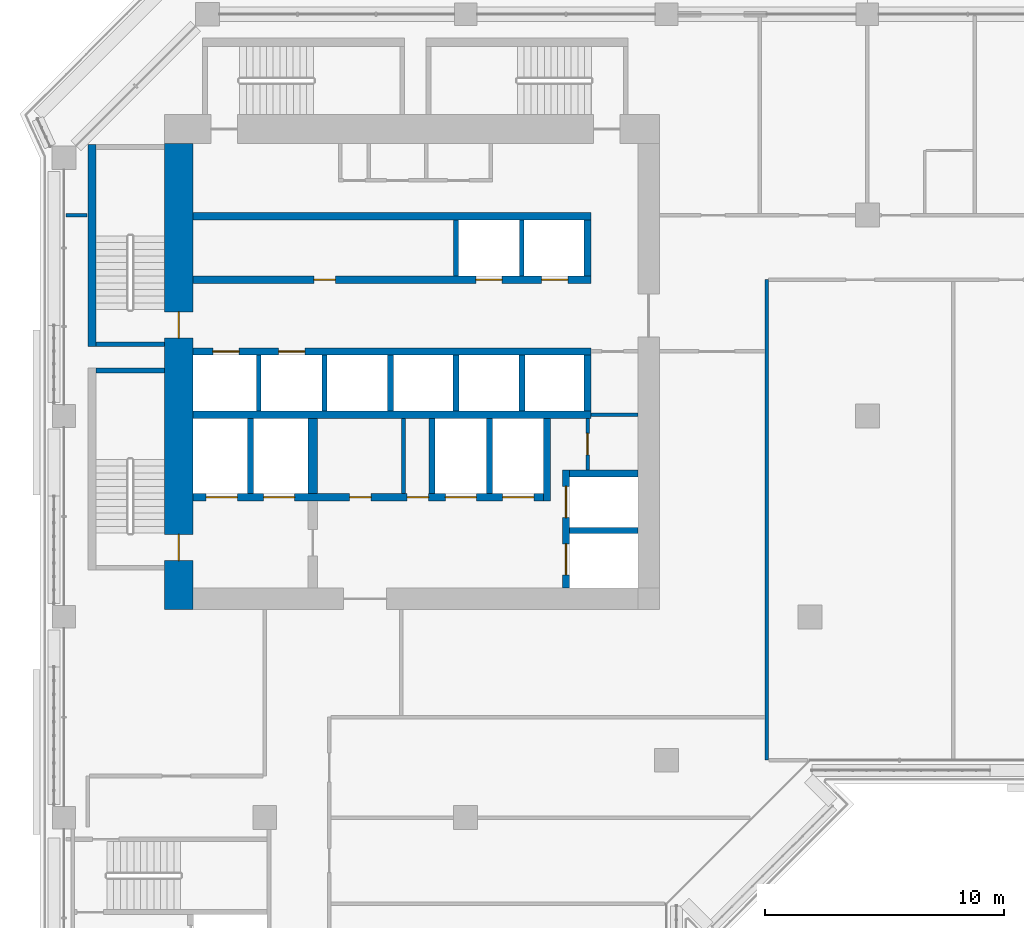
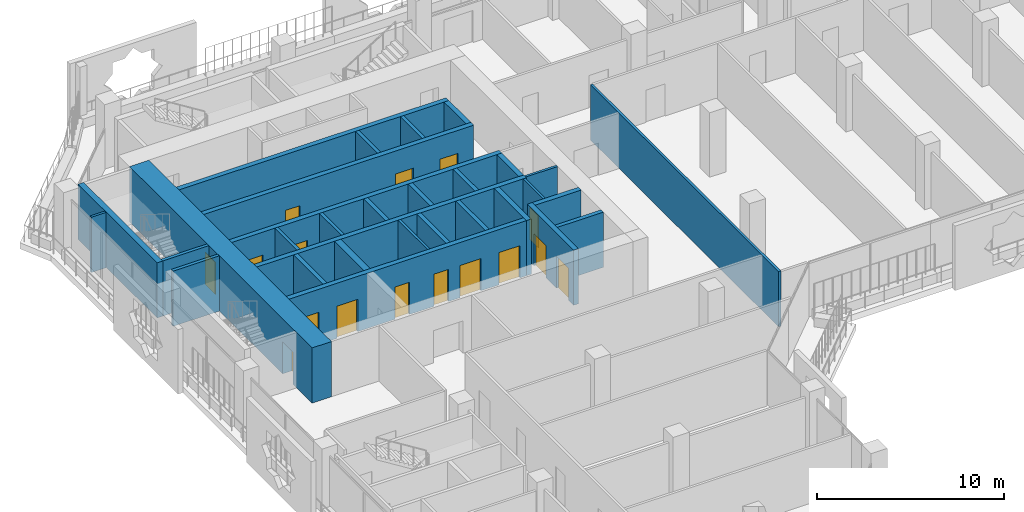
# One storey, part 11 of 22: 31 walls, 16 doors, 16 openings.
"""IFC4 building model written with IfcOpenShell, lengths in metres."""

from ifc_helpers import new_model, si_unit, direction, frame, frame_2d, origin, place, context, subcontext, project, spatial, rectangle, extrude, material, layer, layer_set, type_object, element, fill, save


model = new_model("IFC4")

# Units and contexts
model_context = context("Model", 3, precision=1e-05, world=origin(), true_north=direction((0.0, 1.0)))
body_context = subcontext(model_context, "Body", "Model", "MODEL_VIEW")
ifc_project = project(units=[si_unit("LENGTHUNIT", "METRE"), si_unit("AREAUNIT", "SQUARE_METRE"), si_unit("VOLUMEUNIT", "CUBIC_METRE"), si_unit("PLANEANGLEUNIT", "RADIAN"), si_unit("MASSUNIT", "GRAM", prefix="KILO")], contexts=[model_context])

# Site, building, storey
site_placement = place(None, origin())
site = spatial("IfcSite", under=ifc_project, at=site_placement, CompositionType="ELEMENT")
building_placement = place(site_placement, origin())
building = spatial("IfcBuilding", under=site, at=building_placement, Name="Kawkab Arch Medical Tower", CompositionType="ELEMENT")
storey_placement = place(building_placement, frame((0.0, 0.0, 179.39990234375)))
storey = spatial("IfcBuildingStorey", under=building, at=storey_placement, Name="L41", CompositionType="ELEMENT", Elevation=179.39990234375)

# Wall, openings, doors
ifc_material_1 = material(Name="Concrete C55/67", Category="concrete")
ifc_layer_1 = layer(ifc_material_1, 1.199951171875)
ifc_layer_set_1 = layer_set([ifc_layer_1], Name="Concrete C55/67")
wall_type_1 = type_object("IfcWallType", Name="Core ring wall 1200 C55/67", PredefinedType="SHEAR", material=ifc_layer_set_1)
wall_1_placement = place(storey_placement, frame((4.800048828125, -24.89990234375, 0.0), z_axis=(0.0, 0.0, 1.0), x_axis=(0.0, 1.0, 0.0)))
wall_1 = element("IfcWall", 1, at=wall_1_placement, inside=storey, type_object=wall_type_1, Name="L41 core wall", PredefinedType="SHEAR", context=body_context, shape_type="SweptSolid", body=[
    extrude(rectangle(XDim=19.5, YDim=1.199951171875, at=frame_2d((9.75, 0.0))), origin(), (0.0, 0.0, 1.0), 3.60009765625),
])
opening_1_placement = place(wall_1_placement, frame((11.35009765625, 0.0, 0.0)))
opening_1 = element("IfcOpeningElement", 2, at=opening_1_placement, cuts=wall_1, Name="Opening SD", PredefinedType="OPENING", context=body_context, shape_type="SweptSolid", body=[
    extrude(rectangle(XDim=1.10009765625, YDim=2.10009765625, at=frame_2d((0.550048828125, 1.050048828125))), frame((0.0, 0.60986328125, 0.0), z_axis=(0.0, -1.0, 0.0), x_axis=(1.0, 0.0, 0.0)), (0.0, 0.0, 1.0), 1.219970703125),
])
opening_2_placement = place(wall_1_placement, frame((2.050048828125, 0.0, 0.0)))
opening_2 = element("IfcOpeningElement", 3, at=opening_2_placement, cuts=wall_1, Name="Opening SD", PredefinedType="OPENING", context=body_context, shape_type="SweptSolid", body=[
    extrude(rectangle(XDim=1.10009765625, YDim=2.10009765625, at=frame_2d((0.550048828125, 1.050048828125))), frame((0.0, 0.60986328125, 0.0), z_axis=(0.0, -1.0, 0.0), x_axis=(1.0, 0.0, 0.0)), (0.0, 0.0, 1.0), 1.219970703125),
])
ifc_material_2 = material(Name="Hollow metal fire door leaf")
door_type_1 = type_object("IfcDoorType", Name="Exit stair door 1100", OperationType="SINGLE_SWING_LEFT", PredefinedType="DOOR", material=ifc_material_2)
door_1_placement = place(opening_1_placement, origin())
door_1 = element("IfcDoor", 4, at=door_1_placement, inside=storey, type_object=door_type_1, Name="L41 Exit stair ST1 door", OperationType="SINGLE_SWING_LEFT", OverallHeight=2.10009765625, OverallWidth=1.10009765625, PredefinedType="DOOR", context=body_context, shape_type="SweptSolid", body=[
    extrude(rectangle(XDim=1.10009765625, YDim=2.10009765625, at=frame_2d((0.550048828125, 1.050048828125))), frame((0.0, 0.02490234375, 0.0), z_axis=(0.0, -1.0, 0.0), x_axis=(1.0, 0.0, 0.0)), (0.0, 0.0, 1.0), 0.050048828125),
])
fill(opening_1, door_1)
door_2_placement = place(opening_2_placement, origin())
door_2 = element("IfcDoor", 5, at=door_2_placement, inside=storey, type_object=door_type_1, Name="L41 Exit stair ST2 door", OperationType="SINGLE_SWING_LEFT", OverallHeight=2.10009765625, OverallWidth=1.10009765625, PredefinedType="DOOR", context=body_context, shape_type="SweptSolid", body=[
    extrude(rectangle(XDim=1.10009765625, YDim=2.10009765625, at=frame_2d((0.550048828125, 1.050048828125))), frame((0.0, 0.02490234375, 0.0), z_axis=(0.0, -1.0, 0.0), x_axis=(1.0, 0.0, 0.0)), (0.0, 0.0, 1.0), 0.050048828125),
])
fill(opening_2, door_2)

# Wall, opening, door
ifc_material_3 = material(Name="Gypsum board on steel studs", Category="steel")
ifc_layer_2 = layer(ifc_material_3, 0.14990234375)
ifc_layer_set_2 = layer_set([ifc_layer_2], Name="Gypsum board on steel studs")
wall_type_2 = type_object("IfcWallType", Name="Core room partition 150", PredefinedType="PARTITIONING", material=ifc_layer_set_2)
wall_2_placement = place(storey_placement, frame((21.89990234375, -19.050048828125, 0.0), z_axis=(0.0, 0.0, 1.0), x_axis=(0.0, 1.0, 0.0)))
wall_2 = element("IfcWall", 6, at=wall_2_placement, inside=storey, type_object=wall_type_2, Name="L41 core room partition", PredefinedType="PARTITIONING", context=body_context, shape_type="SweptSolid", body=[
    extrude(rectangle(XDim=2.150146484375, YDim=0.14990234375, at=frame_2d((1.0751953125, 0.0))), origin(), (0.0, 0.0, 1.0), 3.60009765625),
])
opening_3_placement = place(wall_2_placement, frame((0.625, 0.0, 0.0)))
opening_3 = element("IfcOpeningElement", 7, at=opening_3_placement, cuts=wall_2, Name="Opening RD", PredefinedType="OPENING", context=body_context, shape_type="SweptSolid", body=[
    extrude(rectangle(XDim=0.89990234375, YDim=2.10009765625, at=frame_2d((0.449951171875, 1.050048828125))), frame((0.0, 0.0849609375, 0.0), z_axis=(0.0, -1.0, 0.0), x_axis=(1.0, 0.0, 0.0)), (0.0, 0.0, 1.0), 0.169921875),
])
ifc_material_4 = material(Name="Hollow metal fire door leaf")
door_type_2 = type_object("IfcDoorType", Name="Core room door 900", OperationType="SINGLE_SWING_LEFT", PredefinedType="DOOR", material=ifc_material_4)
door_3_placement = place(opening_3_placement, origin())
door_3 = element("IfcDoor", 8, at=door_3_placement, inside=storey, type_object=door_type_2, Name="L41 Accessible WC door", OperationType="SINGLE_SWING_LEFT", OverallHeight=2.10009765625, OverallWidth=0.89990234375, PredefinedType="DOOR", context=body_context, shape_type="SweptSolid", body=[
    extrude(rectangle(XDim=0.89990234375, YDim=2.10009765625, at=frame_2d((0.449951171875, 1.050048828125))), frame((0.0, 0.02490234375, 0.0), z_axis=(0.0, -1.0, 0.0), x_axis=(1.0, 0.0, 0.0)), (0.0, 0.0, 1.0), 0.050048828125),
])
fill(opening_3, door_3)

# Walls
wall_3_placement = place(storey_placement, frame((22.050048828125, -16.75, 0.0), z_axis=(0.0, 0.0, 1.0), x_axis=(1.0, 0.0, 0.0)))
element("IfcWall", 9, at=wall_3_placement, inside=storey, type_object=wall_type_2, Name="L41 core room partition", PredefinedType="PARTITIONING", context=body_context, shape_type="SweptSolid", body=[
    extrude(rectangle(XDim=1.949951171875, YDim=0.14990234375, at=frame_2d((0.97509765625, 0.0))), origin(), (0.0, 0.0, 1.0), 3.60009765625),
])
wall_4_placement = place(storey_placement, frame((14.199951171875, -20.050048828125, 0.0), z_axis=(0.0, 0.0, 1.0), x_axis=(0.0, 1.0, 0.0)))
element("IfcWall", 10, at=wall_4_placement, inside=storey, type_object=wall_type_2, Name="L41 core room partition", PredefinedType="PARTITIONING", context=body_context, shape_type="SweptSolid", body=[
    extrude(rectangle(XDim=3.150146484375, YDim=0.14990234375, at=frame_2d((1.5751953125, 0.0))), origin(), (0.0, 0.0, 1.0), 3.60009765625),
])
ifc_material_5 = material(Name="Concrete C60/75", Category="concrete")
ifc_layer_3 = layer(ifc_material_5, 0.25)
ifc_layer_set_3 = layer_set([ifc_layer_3], Name="Concrete C60/75")
wall_type_3 = type_object("IfcWallType", Name="Core shear wall 250 C60/75", PredefinedType="SHEAR", material=ifc_layer_set_3)
wall_5_placement = place(storey_placement, frame((21.14990234375, -21.60009765625, 0.0), z_axis=(0.0, 0.0, 1.0), x_axis=(1.0, 0.0, 0.0)))
element("IfcWall", 11, at=wall_5_placement, inside=storey, type_object=wall_type_3, Name="L41 core shear wall", PredefinedType="SHEAR", context=body_context, shape_type="SweptSolid", body=[
    extrude(rectangle(XDim=2.85009765625, YDim=0.25, at=frame_2d((1.425048828125, 0.0))), origin(), (0.0, 0.0, 1.0), 3.60009765625),
])
for number, where, z_axis, x_axis, name in (
    (12, (7.800048828125, -20.050048828125, 0.0), (0.0, 0.0, 1.0), (0.0, 1.0, 0.0), "L41 core shear wall"),
    (13, (15.39990234375, -20.050048828125, 0.0), (0.0, 0.0, 1.0), (0.0, 1.0, 0.0), "L41 core shear wall"),
    (14, (17.800048828125, -20.050048828125, 0.0), (0.0, 0.0, 1.0), (0.0, 1.0, 0.0), "L41 core shear wall"),
):
    element("IfcWall", number, at=place(storey_placement, frame(where, z_axis=z_axis, x_axis=x_axis)), inside=storey, type_object=wall_type_3, Name=name, PredefinedType="SHEAR", context=body_context, shape_type="SweptSolid", body=[
        extrude(rectangle(XDim=3.150146484375, YDim=0.25, at=frame_2d((1.5751953125, 0.0))), origin(), (0.0, 0.0, 1.0), 3.60009765625),
    ])
for number, where, z_axis, x_axis, name in (
    (15, (13.64990234375, -16.60009765625, 0.0), (0.0, 0.0, 1.0), (0.0, 1.0, 0.0), "L41 core shear wall"),
    (16, (16.39990234375, -16.60009765625, 0.0), (0.0, 0.0, 1.0), (0.0, 1.0, 0.0), "L41 core shear wall"),
    (17, (19.14990234375, -16.60009765625, 0.0), (0.0, 0.0, 1.0), (0.0, 1.0, 0.0), "L41 core shear wall"),
):
    element("IfcWall", number, at=place(storey_placement, frame(where, z_axis=z_axis, x_axis=x_axis)), inside=storey, type_object=wall_type_3, Name=name, PredefinedType="SHEAR", context=body_context, shape_type="SweptSolid", body=[
        extrude(rectangle(XDim=2.35009765625, YDim=0.25, at=frame_2d((1.175048828125, 0.0))), origin(), (0.0, 0.0, 1.0), 3.60009765625),
    ])
ifc_material_6 = material(Name="Concrete C60/75", Category="concrete")
ifc_layer_4 = layer(ifc_material_6, 0.300048828125)
ifc_layer_set_4 = layer_set([ifc_layer_4], Name="Concrete C60/75")
wall_type_4 = type_object("IfcWallType", Name="Core shear wall 300 C60/75", PredefinedType="SHEAR", material=ifc_layer_set_4)
wall_6_placement = place(storey_placement, frame((5.39990234375, -8.449951171875, 0.0), z_axis=(0.0, 0.0, 1.0), x_axis=(1.0, 0.0, 0.0)))
element("IfcWall", 18, at=wall_6_placement, inside=storey, type_object=wall_type_4, Name="L41 core shear wall", PredefinedType="SHEAR", context=body_context, shape_type="SweptSolid", body=[
    extrude(rectangle(XDim=16.650146484375, YDim=0.300048828125, at=frame_2d((8.3251953125, 0.0))), origin(), (0.0, 0.0, 1.0), 3.60009765625),
])

# Wall, openings, doors
wall_7_placement = place(storey_placement, frame((5.39990234375, -11.10009765625, 0.0), z_axis=(0.0, 0.0, 1.0), x_axis=(1.0, 0.0, 0.0)))
wall_7 = element("IfcWall", 19, at=wall_7_placement, inside=storey, type_object=wall_type_4, Name="L41 core shear wall", PredefinedType="SHEAR", context=body_context, shape_type="SweptSolid", body=[
    extrude(rectangle(XDim=16.650146484375, YDim=0.300048828125, at=frame_2d((8.3251953125, 0.0))), origin(), (0.0, 0.0, 1.0), 3.60009765625),
])
opening_4_placement = place(wall_7_placement, frame((11.824951171875, 0.0, 0.0)))
opening_4 = element("IfcOpeningElement", 20, at=opening_4_placement, cuts=wall_7, Name="Opening LD1", PredefinedType="OPENING", context=body_context, shape_type="SweptSolid", body=[
    extrude(rectangle(XDim=1.10009765625, YDim=2.10009765625, at=frame_2d((0.550048828125, 1.050048828125))), frame((0.0, 0.159912109375, 0.0), z_axis=(0.0, -1.0, 0.0), x_axis=(1.0, 0.0, 0.0)), (0.0, 0.0, 1.0), 0.320068359375),
])
opening_5_placement = place(wall_7_placement, frame((14.574951171875, 0.0, 0.0)))
opening_5 = element("IfcOpeningElement", 21, at=opening_5_placement, cuts=wall_7, Name="Opening LD1", PredefinedType="OPENING", context=body_context, shape_type="SweptSolid", body=[
    extrude(rectangle(XDim=1.10009765625, YDim=2.10009765625, at=frame_2d((0.550048828125, 1.050048828125))), frame((0.0, 0.159912109375, 0.0), z_axis=(0.0, -1.0, 0.0), x_axis=(1.0, 0.0, 0.0)), (0.0, 0.0, 1.0), 0.320068359375),
])
opening_6_placement = place(wall_7_placement, frame((5.050048828125, 0.0, 0.0)))
opening_6 = element("IfcOpeningElement", 22, at=opening_6_placement, cuts=wall_7, Name="Opening RD", PredefinedType="OPENING", context=body_context, shape_type="SweptSolid", body=[
    extrude(rectangle(XDim=0.89990234375, YDim=2.10009765625, at=frame_2d((0.449951171875, 1.050048828125))), frame((0.0, 0.159912109375, 0.0), z_axis=(0.0, -1.0, 0.0), x_axis=(1.0, 0.0, 0.0)), (0.0, 0.0, 1.0), 0.320068359375),
])
door_4_placement = place(opening_6_placement, origin())
door_4 = element("IfcDoor", 23, at=door_4_placement, inside=storey, type_object=door_type_2, Name="L41 Data room door", OperationType="SINGLE_SWING_LEFT", OverallHeight=2.10009765625, OverallWidth=0.89990234375, PredefinedType="DOOR", context=body_context, shape_type="SweptSolid", body=[
    extrude(rectangle(XDim=0.89990234375, YDim=2.10009765625, at=frame_2d((0.449951171875, 1.050048828125))), frame((0.0, 0.02490234375, 0.0), z_axis=(0.0, -1.0, 0.0), x_axis=(1.0, 0.0, 0.0)), (0.0, 0.0, 1.0), 0.050048828125),
])
fill(opening_6, door_4)
ifc_material_7 = material(Name="Stainless steel lift door leaf", Category="steel")
door_type_3 = type_object("IfcDoorType", Name="Lift landing door 1100", OperationType="DOUBLE_DOOR_SLIDING", PredefinedType="DOOR", material=ifc_material_7)
door_5_placement = place(opening_4_placement, origin())
door_5 = element("IfcDoor", 24, at=door_5_placement, inside=storey, type_object=door_type_3, Name="L41 Lift landing door MP1", OperationType="DOUBLE_DOOR_SLIDING", OverallHeight=2.10009765625, OverallWidth=1.10009765625, PredefinedType="DOOR", context=body_context, shape_type="SweptSolid", body=[
    extrude(rectangle(XDim=1.10009765625, YDim=2.10009765625, at=frame_2d((0.550048828125, 1.050048828125))), frame((0.0, 0.02490234375, 0.0), z_axis=(0.0, -1.0, 0.0), x_axis=(1.0, 0.0, 0.0)), (0.0, 0.0, 1.0), 0.050048828125),
])
fill(opening_4, door_5)
door_6_placement = place(opening_5_placement, origin())
door_6 = element("IfcDoor", 25, at=door_6_placement, inside=storey, type_object=door_type_3, Name="L41 Lift landing door MP2", OperationType="DOUBLE_DOOR_SLIDING", OverallHeight=2.10009765625, OverallWidth=1.10009765625, PredefinedType="DOOR", context=body_context, shape_type="SweptSolid", body=[
    extrude(rectangle(XDim=1.10009765625, YDim=2.10009765625, at=frame_2d((0.550048828125, 1.050048828125))), frame((0.0, 0.02490234375, 0.0), z_axis=(0.0, -1.0, 0.0), x_axis=(1.0, 0.0, 0.0)), (0.0, 0.0, 1.0), 0.050048828125),
])
fill(opening_5, door_6)

wall_8_placement = place(storey_placement, frame((5.39990234375, -14.10009765625, 0.0), z_axis=(0.0, 0.0, 1.0), x_axis=(1.0, 0.0, 0.0)))
wall_8 = element("IfcWall", 26, at=wall_8_placement, inside=storey, type_object=wall_type_4, Name="L41 core shear wall", PredefinedType="SHEAR", context=body_context, shape_type="SweptSolid", body=[
    extrude(rectangle(XDim=16.650146484375, YDim=0.300048828125, at=frame_2d((8.3251953125, 0.0))), origin(), (0.0, 0.0, 1.0), 3.60009765625),
])
opening_7_placement = place(wall_8_placement, frame((0.824951171875, 0.0, 0.0)))
opening_7 = element("IfcOpeningElement", 27, at=opening_7_placement, cuts=wall_8, Name="Opening LD1", PredefinedType="OPENING", context=body_context, shape_type="SweptSolid", body=[
    extrude(rectangle(XDim=1.10009765625, YDim=2.10009765625, at=frame_2d((0.550048828125, 1.050048828125))), frame((0.0, 0.159912109375, 0.0), z_axis=(0.0, -1.0, 0.0), x_axis=(1.0, 0.0, 0.0)), (0.0, 0.0, 1.0), 0.320068359375),
])
opening_8_placement = place(wall_8_placement, frame((3.574951171875, 0.0, 0.0)))
opening_8 = element("IfcOpeningElement", 28, at=opening_8_placement, cuts=wall_8, Name="Opening LD1", PredefinedType="OPENING", context=body_context, shape_type="SweptSolid", body=[
    extrude(rectangle(XDim=1.10009765625, YDim=2.10009765625, at=frame_2d((0.550048828125, 1.050048828125))), frame((0.0, 0.159912109375, 0.0), z_axis=(0.0, -1.0, 0.0), x_axis=(1.0, 0.0, 0.0)), (0.0, 0.0, 1.0), 0.320068359375),
])
door_7_placement = place(opening_7_placement, origin())
door_7 = element("IfcDoor", 29, at=door_7_placement, inside=storey, type_object=door_type_3, Name="L41 Lift landing door MP3", OperationType="DOUBLE_DOOR_SLIDING", OverallHeight=2.10009765625, OverallWidth=1.10009765625, PredefinedType="DOOR", context=body_context, shape_type="SweptSolid", body=[
    extrude(rectangle(XDim=1.10009765625, YDim=2.10009765625, at=frame_2d((0.550048828125, 1.050048828125))), frame((0.0, 0.02490234375, 0.0), z_axis=(0.0, -1.0, 0.0), x_axis=(1.0, 0.0, 0.0)), (0.0, 0.0, 1.0), 0.050048828125),
])
fill(opening_7, door_7)
door_8_placement = place(opening_8_placement, origin())
door_8 = element("IfcDoor", 30, at=door_8_placement, inside=storey, type_object=door_type_3, Name="L41 Lift landing door MP4", OperationType="DOUBLE_DOOR_SLIDING", OverallHeight=2.10009765625, OverallWidth=1.10009765625, PredefinedType="DOOR", context=body_context, shape_type="SweptSolid", body=[
    extrude(rectangle(XDim=1.10009765625, YDim=2.10009765625, at=frame_2d((0.550048828125, 1.050048828125))), frame((0.0, 0.02490234375, 0.0), z_axis=(0.0, -1.0, 0.0), x_axis=(1.0, 0.0, 0.0)), (0.0, 0.0, 1.0), 0.050048828125),
])
fill(opening_8, door_8)

# Wall
wall_9_placement = place(storey_placement, frame((5.39990234375, -16.75, 0.0), z_axis=(0.0, 0.0, 1.0), x_axis=(1.0, 0.0, 0.0)))
element("IfcWall", 31, at=wall_9_placement, inside=storey, type_object=wall_type_4, Name="L41 core shear wall", PredefinedType="SHEAR", context=body_context, shape_type="SweptSolid", body=[
    extrude(rectangle(XDim=16.650146484375, YDim=0.300048828125, at=frame_2d((8.3251953125, 0.0))), origin(), (0.0, 0.0, 1.0), 3.60009765625),
])

# Wall, openings, doors
wall_10_placement = place(storey_placement, frame((5.39990234375, -20.199951171875, 0.0), z_axis=(0.0, 0.0, 1.0), x_axis=(1.0, 0.0, 0.0)))
wall_10 = element("IfcWall", 32, at=wall_10_placement, inside=storey, type_object=wall_type_4, Name="L41 core shear wall", PredefinedType="SHEAR", context=body_context, shape_type="SweptSolid", body=[
    extrude(rectangle(XDim=14.650146484375, YDim=0.300048828125, at=frame_2d((7.3251953125, 0.0))), origin(), (0.0, 0.0, 1.0), 3.60009765625),
])
opening_9_placement = place(wall_10_placement, frame((10.550048828125, 0.0, 0.0)))
opening_9 = element("IfcOpeningElement", 33, at=opening_9_placement, cuts=wall_10, Name="Opening LD2", PredefinedType="OPENING", context=body_context, shape_type="SweptSolid", body=[
    extrude(rectangle(XDim=1.300048828125, YDim=2.10009765625, at=frame_2d((0.64990234375, 1.050048828125))), frame((0.0, 0.159912109375, 0.0), z_axis=(0.0, -1.0, 0.0), x_axis=(1.0, 0.0, 0.0)), (0.0, 0.0, 1.0), 0.320068359375),
])
opening_10_placement = place(wall_10_placement, frame((12.949951171875, 0.0, 0.0)))
opening_10 = element("IfcOpeningElement", 34, at=opening_10_placement, cuts=wall_10, Name="Opening LD2", PredefinedType="OPENING", context=body_context, shape_type="SweptSolid", body=[
    extrude(rectangle(XDim=1.300048828125, YDim=2.10009765625, at=frame_2d((0.64990234375, 1.050048828125))), frame((0.0, 0.159912109375, 0.0), z_axis=(0.0, -1.0, 0.0), x_axis=(1.0, 0.0, 0.0)), (0.0, 0.0, 1.0), 0.320068359375),
])
opening_11_placement = place(wall_10_placement, frame((0.550048828125, 0.0, 0.0)))
opening_11 = element("IfcOpeningElement", 35, at=opening_11_placement, cuts=wall_10, Name="Opening LD2", PredefinedType="OPENING", context=body_context, shape_type="SweptSolid", body=[
    extrude(rectangle(XDim=1.300048828125, YDim=2.10009765625, at=frame_2d((0.64990234375, 1.050048828125))), frame((0.0, 0.159912109375, 0.0), z_axis=(0.0, -1.0, 0.0), x_axis=(1.0, 0.0, 0.0)), (0.0, 0.0, 1.0), 0.320068359375),
])
opening_12_placement = place(wall_10_placement, frame((2.949951171875, 0.0, 0.0)))
opening_12 = element("IfcOpeningElement", 36, at=opening_12_placement, cuts=wall_10, Name="Opening LD2", PredefinedType="OPENING", context=body_context, shape_type="SweptSolid", body=[
    extrude(rectangle(XDim=1.300048828125, YDim=2.10009765625, at=frame_2d((0.64990234375, 1.050048828125))), frame((0.0, 0.159912109375, 0.0), z_axis=(0.0, -1.0, 0.0), x_axis=(1.0, 0.0, 0.0)), (0.0, 0.0, 1.0), 0.320068359375),
])
opening_13_placement = place(wall_10_placement, frame((6.550048828125, 0.0, 0.0)))
opening_13 = element("IfcOpeningElement", 37, at=opening_13_placement, cuts=wall_10, Name="Opening RD", PredefinedType="OPENING", context=body_context, shape_type="SweptSolid", body=[
    extrude(rectangle(XDim=0.89990234375, YDim=2.10009765625, at=frame_2d((0.449951171875, 1.050048828125))), frame((0.0, 0.159912109375, 0.0), z_axis=(0.0, -1.0, 0.0), x_axis=(1.0, 0.0, 0.0)), (0.0, 0.0, 1.0), 0.320068359375),
])
opening_14_placement = place(wall_10_placement, frame((8.949951171875, 0.0, 0.0)))
opening_14 = element("IfcOpeningElement", 38, at=opening_14_placement, cuts=wall_10, Name="Opening RD", PredefinedType="OPENING", context=body_context, shape_type="SweptSolid", body=[
    extrude(rectangle(XDim=0.89990234375, YDim=2.10009765625, at=frame_2d((0.449951171875, 1.050048828125))), frame((0.0, 0.159912109375, 0.0), z_axis=(0.0, -1.0, 0.0), x_axis=(1.0, 0.0, 0.0)), (0.0, 0.0, 1.0), 0.320068359375),
])
door_9_placement = place(opening_13_placement, origin())
door_9 = element("IfcDoor", 39, at=door_9_placement, inside=storey, type_object=door_type_2, Name="L41 Ward pantry door", OperationType="SINGLE_SWING_LEFT", OverallHeight=2.10009765625, OverallWidth=0.89990234375, PredefinedType="DOOR", context=body_context, shape_type="SweptSolid", body=[
    extrude(rectangle(XDim=0.89990234375, YDim=2.10009765625, at=frame_2d((0.449951171875, 1.050048828125))), frame((0.0, 0.02490234375, 0.0), z_axis=(0.0, -1.0, 0.0), x_axis=(1.0, 0.0, 0.0)), (0.0, 0.0, 1.0), 0.050048828125),
])
fill(opening_13, door_9)
door_10_placement = place(opening_14_placement, origin())
door_10 = element("IfcDoor", 40, at=door_10_placement, inside=storey, type_object=door_type_2, Name="L41 Linen store door", OperationType="SINGLE_SWING_LEFT", OverallHeight=2.10009765625, OverallWidth=0.89990234375, PredefinedType="DOOR", context=body_context, shape_type="SweptSolid", body=[
    extrude(rectangle(XDim=0.89990234375, YDim=2.10009765625, at=frame_2d((0.449951171875, 1.050048828125))), frame((0.0, 0.02490234375, 0.0), z_axis=(0.0, -1.0, 0.0), x_axis=(1.0, 0.0, 0.0)), (0.0, 0.0, 1.0), 0.050048828125),
])
fill(opening_14, door_10)
ifc_material_8 = material(Name="Stainless steel lift door leaf", Category="steel")
door_type_4 = type_object("IfcDoorType", Name="Lift landing door 1300", OperationType="DOUBLE_DOOR_SLIDING", PredefinedType="DOOR", material=ifc_material_8)
door_11_placement = place(opening_9_placement, origin())
door_11 = element("IfcDoor", 41, at=door_11_placement, inside=storey, type_object=door_type_4, Name="L41 Lift landing door BD3", OperationType="DOUBLE_DOOR_SLIDING", OverallHeight=2.10009765625, OverallWidth=1.300048828125, PredefinedType="DOOR", context=body_context, shape_type="SweptSolid", body=[
    extrude(rectangle(XDim=1.300048828125, YDim=2.10009765625, at=frame_2d((0.64990234375, 1.050048828125))), frame((0.0, 0.02490234375, 0.0), z_axis=(0.0, -1.0, 0.0), x_axis=(1.0, 0.0, 0.0)), (0.0, 0.0, 1.0), 0.050048828125),
])
fill(opening_9, door_11)
door_12_placement = place(opening_10_placement, origin())
door_12 = element("IfcDoor", 42, at=door_12_placement, inside=storey, type_object=door_type_4, Name="L41 Lift landing door BD4", OperationType="DOUBLE_DOOR_SLIDING", OverallHeight=2.10009765625, OverallWidth=1.300048828125, PredefinedType="DOOR", context=body_context, shape_type="SweptSolid", body=[
    extrude(rectangle(XDim=1.300048828125, YDim=2.10009765625, at=frame_2d((0.64990234375, 1.050048828125))), frame((0.0, 0.02490234375, 0.0), z_axis=(0.0, -1.0, 0.0), x_axis=(1.0, 0.0, 0.0)), (0.0, 0.0, 1.0), 0.050048828125),
])
fill(opening_10, door_12)
door_13_placement = place(opening_11_placement, origin())
door_13 = element("IfcDoor", 43, at=door_13_placement, inside=storey, type_object=door_type_4, Name="L41 Lift landing door FL1", OperationType="DOUBLE_DOOR_SLIDING", OverallHeight=2.10009765625, OverallWidth=1.300048828125, PredefinedType="DOOR", context=body_context, shape_type="SweptSolid", body=[
    extrude(rectangle(XDim=1.300048828125, YDim=2.10009765625, at=frame_2d((0.64990234375, 1.050048828125))), frame((0.0, 0.02490234375, 0.0), z_axis=(0.0, -1.0, 0.0), x_axis=(1.0, 0.0, 0.0)), (0.0, 0.0, 1.0), 0.050048828125),
])
fill(opening_11, door_13)
door_14_placement = place(opening_12_placement, origin())
door_14 = element("IfcDoor", 44, at=door_14_placement, inside=storey, type_object=door_type_4, Name="L41 Lift landing door FL2", OperationType="DOUBLE_DOOR_SLIDING", OverallHeight=2.10009765625, OverallWidth=1.300048828125, PredefinedType="DOOR", context=body_context, shape_type="SweptSolid", body=[
    extrude(rectangle(XDim=1.300048828125, YDim=2.10009765625, at=frame_2d((0.64990234375, 1.050048828125))), frame((0.0, 0.02490234375, 0.0), z_axis=(0.0, -1.0, 0.0), x_axis=(1.0, 0.0, 0.0)), (0.0, 0.0, 1.0), 0.050048828125),
])
fill(opening_12, door_14)

# Walls
wall_11_placement = place(storey_placement, frame((20.199951171875, -20.35009765625, 0.0), z_axis=(0.0, 0.0, 1.0), x_axis=(0.0, 1.0, 0.0)))
element("IfcWall", 45, at=wall_11_placement, inside=storey, type_object=wall_type_4, Name="L41 core shear wall", PredefinedType="SHEAR", context=body_context, shape_type="SweptSolid", body=[
    extrude(rectangle(XDim=3.4501953125, YDim=0.300048828125, at=frame_2d((1.72509765625, 0.0))), origin(), (0.0, 0.0, 1.0), 3.60009765625),
])
wall_12_placement = place(storey_placement, frame((21.89990234375, -10.949951171875, 0.0), z_axis=(0.0, 0.0, 1.0), x_axis=(0.0, 1.0, 0.0)))
element("IfcWall", 46, at=wall_12_placement, inside=storey, type_object=wall_type_4, Name="L41 core shear wall", PredefinedType="SHEAR", context=body_context, shape_type="SweptSolid", body=[
    extrude(rectangle(XDim=2.349853515625, YDim=0.300048828125, at=frame_2d((1.1748046875, 0.0))), origin(), (0.0, 0.0, 1.0), 3.60009765625),
])
wall_13_placement = place(storey_placement, frame((21.89990234375, -16.60009765625, 0.0), z_axis=(0.0, 0.0, 1.0), x_axis=(0.0, 1.0, 0.0)))
element("IfcWall", 47, at=wall_13_placement, inside=storey, type_object=wall_type_4, Name="L41 core shear wall", PredefinedType="SHEAR", context=body_context, shape_type="SweptSolid", body=[
    extrude(rectangle(XDim=2.35009765625, YDim=0.300048828125, at=frame_2d((1.175048828125, 0.0))), origin(), (0.0, 0.0, 1.0), 3.60009765625),
])
wall_14_placement = place(storey_placement, frame((21.14990234375, -19.199951171875, 0.0), z_axis=(0.0, 0.0, 1.0), x_axis=(1.0, 0.0, 0.0)))
element("IfcWall", 48, at=wall_14_placement, inside=storey, type_object=wall_type_4, Name="L41 core shear wall", PredefinedType="SHEAR", context=body_context, shape_type="SweptSolid", body=[
    extrude(rectangle(XDim=2.85009765625, YDim=0.300048828125, at=frame_2d((1.425048828125, 0.0))), origin(), (0.0, 0.0, 1.0), 3.60009765625),
])

# Wall, openings, doors
wall_15_placement = place(storey_placement, frame((21.0, -24.0, 0.0), z_axis=(0.0, 0.0, 1.0), x_axis=(0.0, 1.0, 0.0)))
wall_15 = element("IfcWall", 49, at=wall_15_placement, inside=storey, type_object=wall_type_4, Name="L41 core shear wall", PredefinedType="SHEAR", context=body_context, shape_type="SweptSolid", body=[
    extrude(rectangle(XDim=4.949951171875, YDim=0.300048828125, at=frame_2d((2.47509765625, 0.0))), origin(), (0.0, 0.0, 1.0), 3.60009765625),
])
opening_15_placement = place(wall_15_placement, frame((2.949951171875, 0.0, 0.0)))
opening_15 = element("IfcOpeningElement", 50, at=opening_15_placement, cuts=wall_15, Name="Opening LD2", PredefinedType="OPENING", context=body_context, shape_type="SweptSolid", body=[
    extrude(rectangle(XDim=1.300048828125, YDim=2.10009765625, at=frame_2d((0.64990234375, 1.050048828125))), frame((0.0, 0.159912109375, 0.0), z_axis=(0.0, -1.0, 0.0), x_axis=(1.0, 0.0, 0.0)), (0.0, 0.0, 1.0), 0.320068359375),
])
opening_16_placement = place(wall_15_placement, frame((0.550048828125, 0.0, 0.0)))
opening_16 = element("IfcOpeningElement", 51, at=opening_16_placement, cuts=wall_15, Name="Opening LD2", PredefinedType="OPENING", context=body_context, shape_type="SweptSolid", body=[
    extrude(rectangle(XDim=1.300048828125, YDim=2.10009765625, at=frame_2d((0.64990234375, 1.050048828125))), frame((0.0, 0.159912109375, 0.0), z_axis=(0.0, -1.0, 0.0), x_axis=(1.0, 0.0, 0.0)), (0.0, 0.0, 1.0), 0.320068359375),
])
door_15_placement = place(opening_15_placement, origin())
door_15 = element("IfcDoor", 52, at=door_15_placement, inside=storey, type_object=door_type_4, Name="L41 Lift landing door BD1", OperationType="DOUBLE_DOOR_SLIDING", OverallHeight=2.10009765625, OverallWidth=1.300048828125, PredefinedType="DOOR", context=body_context, shape_type="SweptSolid", body=[
    extrude(rectangle(XDim=1.300048828125, YDim=2.10009765625, at=frame_2d((0.64990234375, 1.050048828125))), frame((0.0, 0.02490234375, 0.0), z_axis=(0.0, -1.0, 0.0), x_axis=(1.0, 0.0, 0.0)), (0.0, 0.0, 1.0), 0.050048828125),
])
fill(opening_15, door_15)
door_16_placement = place(opening_16_placement, origin())
door_16 = element("IfcDoor", 53, at=door_16_placement, inside=storey, type_object=door_type_4, Name="L41 Lift landing door BD2", OperationType="DOUBLE_DOOR_SLIDING", OverallHeight=2.10009765625, OverallWidth=1.300048828125, PredefinedType="DOOR", context=body_context, shape_type="SweptSolid", body=[
    extrude(rectangle(XDim=1.300048828125, YDim=2.10009765625, at=frame_2d((0.64990234375, 1.050048828125))), frame((0.0, 0.02490234375, 0.0), z_axis=(0.0, -1.0, 0.0), x_axis=(1.0, 0.0, 0.0)), (0.0, 0.0, 1.0), 0.050048828125),
])
fill(opening_16, door_16)

# Walls
ifc_material_9 = material(Name="Concrete C60/75", Category="concrete")
ifc_layer_5 = layer(ifc_material_9, 0.39990234375)
ifc_layer_set_5 = layer_set([ifc_layer_5], Name="Concrete C60/75")
wall_type_5 = type_object("IfcWallType", Name="Core shear wall 400 C60/75", PredefinedType="SHEAR", material=ifc_layer_set_5)
wall_16_placement = place(storey_placement, frame((10.39990234375, -20.050048828125, 0.0), z_axis=(0.0, 0.0, 1.0), x_axis=(0.0, 1.0, 0.0)))
element("IfcWall", 54, at=wall_16_placement, inside=storey, type_object=wall_type_5, Name="L41 core shear wall", PredefinedType="SHEAR", context=body_context, shape_type="SweptSolid", body=[
    extrude(rectangle(XDim=3.150146484375, YDim=0.39990234375, at=frame_2d((1.5751953125, 0.0))), origin(), (0.0, 0.0, 1.0), 3.60009765625),
])
ifc_material_10 = material(Name="Dense concrete blockwork", Category="masonry")
ifc_layer_6 = layer(ifc_material_10, 0.199951171875)
ifc_layer_set_6 = layer_set([ifc_layer_6], Name="Dense concrete blockwork")
wall_type_6 = type_object("IfcWallType", Name="Lift shaft partition 200", PredefinedType="PARTITIONING", material=ifc_layer_set_6)
for number, where, z_axis, x_axis, name in (
    (55, (16.39990234375, -10.949951171875, 0.0), (0.0, 0.0, 1.0), (0.0, 1.0, 0.0), "L41 lift shaft partition"),
    (56, (19.14990234375, -10.949951171875, 0.0), (0.0, 0.0, 1.0), (0.0, 1.0, 0.0), "L41 lift shaft partition"),
):
    element("IfcWall", number, at=place(storey_placement, frame(where, z_axis=z_axis, x_axis=x_axis)), inside=storey, type_object=wall_type_6, Name=name, PredefinedType="PARTITIONING", context=body_context, shape_type="SweptSolid", body=[
        extrude(rectangle(XDim=2.349853515625, YDim=0.199951171875, at=frame_2d((1.1748046875, 0.0))), origin(), (0.0, 0.0, 1.0), 3.60009765625),
    ])
for number, where, z_axis, x_axis, name in (
    (57, (8.14990234375, -16.60009765625, 0.0), (0.0, 0.0, 1.0), (0.0, 1.0, 0.0), "L41 lift shaft partition"),
    (58, (10.89990234375, -16.60009765625, 0.0), (0.0, 0.0, 1.0), (0.0, 1.0, 0.0), "L41 lift shaft partition"),
):
    element("IfcWall", number, at=place(storey_placement, frame(where, z_axis=z_axis, x_axis=x_axis)), inside=storey, type_object=wall_type_6, Name=name, PredefinedType="PARTITIONING", context=body_context, shape_type="SweptSolid", body=[
        extrude(rectangle(XDim=2.35009765625, YDim=0.199951171875, at=frame_2d((1.175048828125, 0.0))), origin(), (0.0, 0.0, 1.0), 3.60009765625),
    ])
ifc_material_11 = material(Name="Gypsum board partition on steel studs, mineral wool", Category="steel")
ifc_layer_7 = layer(ifc_material_11, 0.14990234375)
ifc_layer_set_7 = layer_set([ifc_layer_7], Name="Gypsum board partition on steel studs, mineral wool")
wall_type_7 = type_object("IfcWallType", Name="Partition 150", PredefinedType="PARTITIONING", material=ifc_layer_set_7)
wall_17_placement = place(storey_placement, frame((0.080078125, -8.39990234375, 0.0), z_axis=(0.0, 0.0, 1.0), x_axis=(1.0, 0.0, 0.0)))
element("IfcWall", 59, at=wall_17_placement, inside=storey, type_object=wall_type_7, Name="Partition 150 w021", PredefinedType="PARTITIONING", context=body_context, shape_type="SweptSolid", body=[
    extrude(rectangle(XDim=0.889892578125, YDim=0.14990234375, at=frame_2d((0.44482421875, 0.0))), origin(), (0.0, 0.0, 1.0), 3.60009765625),
])
wall_18_placement = place(storey_placement, frame((29.39990234375, -31.197998046875, 0.0), z_axis=(0.0, 0.0, 1.0), x_axis=(0.0, 1.0, 0.0)))
element("IfcWall", 60, at=wall_18_placement, inside=storey, type_object=wall_type_7, Name="Partition 150 w032", PredefinedType="PARTITIONING", context=body_context, shape_type="SweptSolid", body=[
    extrude(rectangle(XDim=20.097900390625, YDim=0.14990234375, at=frame_2d((10.048828125, 0.0))), origin(), (0.0, 0.0, 1.0), 3.60009765625),
])
ifc_material_12 = material(Name="Concrete C50/60", Category="concrete")
ifc_layer_8 = layer(ifc_material_12, 0.199951171875)
ifc_layer_set_8 = layer_set([ifc_layer_8], Name="Concrete C50/60")
wall_type_8 = type_object("IfcWallType", Name="Stair enclosure wall 200 C50/60", PredefinedType="SHEAR", material=ifc_layer_set_8)
for number, where, z_axis, x_axis, name in (
    (61, (1.35009765625, -13.800048828125, 0.0), (0.0, 0.0, 1.0), (1.0, 0.0, 0.0), "L41 stair enclosure wall"),
    (62, (1.35009765625, -14.89990234375, 0.0), (0.0, 0.0, 1.0), (1.0, 0.0, 0.0), "L41 stair enclosure wall"),
):
    element("IfcWall", number, at=place(storey_placement, frame(where, z_axis=z_axis, x_axis=x_axis)), inside=storey, type_object=wall_type_8, Name=name, PredefinedType="SHEAR", context=body_context, shape_type="SweptSolid", body=[
        extrude(rectangle(XDim=2.849853515625, YDim=0.199951171875, at=frame_2d((1.4248046875, 0.0))), origin(), (0.0, 0.0, 1.0), 3.60009765625),
    ])
ifc_material_13 = material(Name="Concrete C50/60", Category="concrete")
ifc_layer_9 = layer(ifc_material_13, 0.35009765625)
ifc_layer_set_9 = layer_set([ifc_layer_9], Name="Concrete C50/60")
wall_type_9 = type_object("IfcWallType", Name="Stair enclosure wall 350 C50/60", PredefinedType="SHEAR", material=ifc_layer_set_9)
wall_19_placement = place(storey_placement, frame((1.175048828125, -13.89990234375, 0.0), z_axis=(0.0, 0.0, 1.0), x_axis=(0.0, 1.0, 0.0)))
element("IfcWall", 63, at=wall_19_placement, inside=storey, type_object=wall_type_9, Name="L41 stair enclosure wall", PredefinedType="SHEAR", context=body_context, shape_type="SweptSolid", body=[
    extrude(rectangle(XDim=8.449951171875, YDim=0.35009765625, at=frame_2d((4.22509765625, 0.0))), origin(), (0.0, 0.0, 1.0), 3.60009765625),
])

save(model, "model.ifc")
